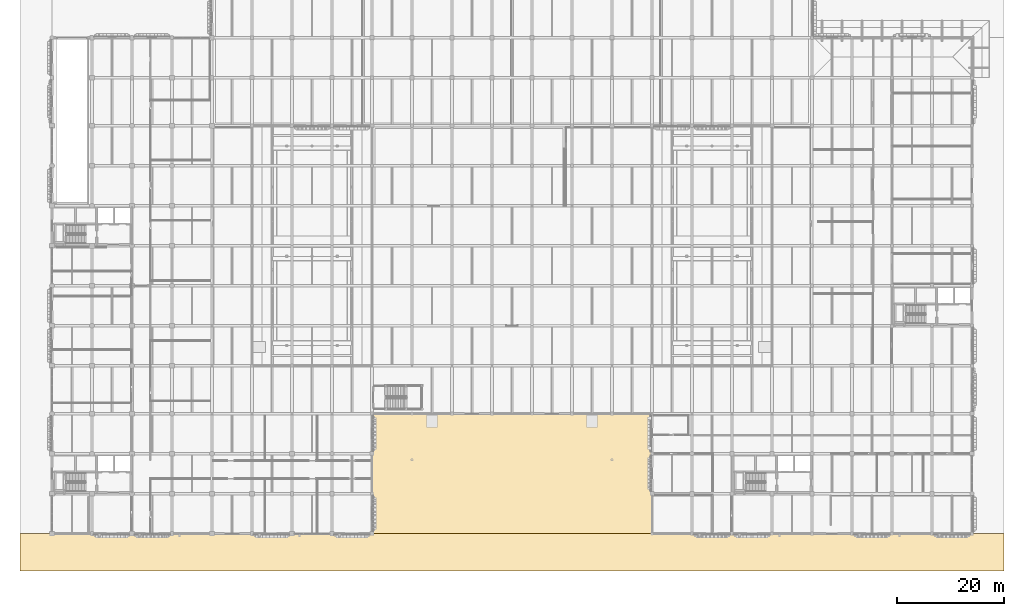
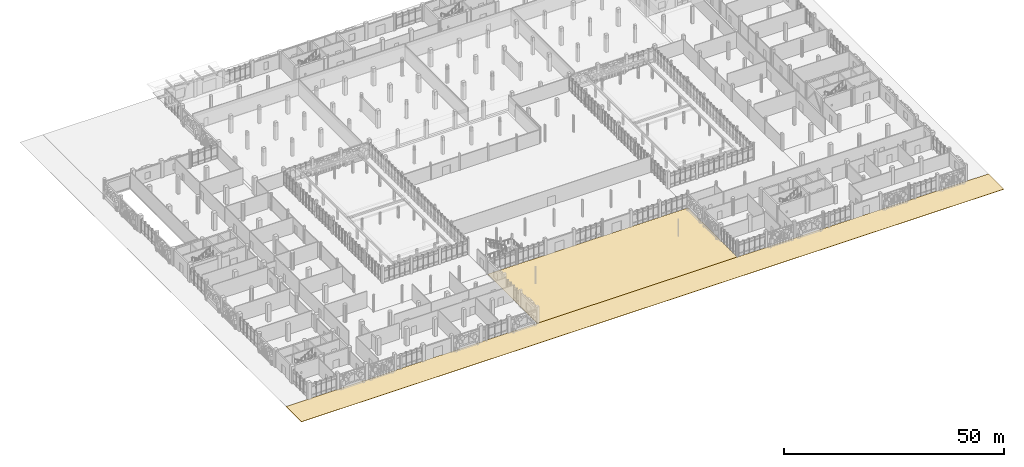
# One storey, part 105 of 125: 2 coverings.
"""IFC4 building model written with IfcOpenShell, lengths in metres."""

from ifc_helpers import new_model, si_unit, direction, frame, origin, place, context, subcontext, project, spatial, polyline, outline, extrude, material, layer, layer_set, type_object, element, save


model = new_model("IFC4")

# Units and contexts
model_context = context("Model", 3, precision=1e-05, world=origin(), true_north=direction((0.0, 1.0)))
body_context = subcontext(model_context, "Body", "Model", "MODEL_VIEW")
ifc_project = project(units=[si_unit("LENGTHUNIT", "METRE"), si_unit("AREAUNIT", "SQUARE_METRE"), si_unit("VOLUMEUNIT", "CUBIC_METRE"), si_unit("PLANEANGLEUNIT", "RADIAN"), si_unit("MASSUNIT", "GRAM", prefix="KILO")], contexts=[model_context])

# Site, building, storey
site_placement = place(None, origin())
site = spatial("IfcSite", under=ifc_project, at=site_placement, CompositionType="ELEMENT")
building_placement = place(site_placement, origin())
building = spatial("IfcBuilding", under=site, at=building_placement, Name="Dalvernix Boulevard General Hospital", CompositionType="ELEMENT")
storey_placement = place(building_placement, origin())
storey = spatial("IfcBuildingStorey", under=building, at=storey_placement, Name="L00", CompositionType="ELEMENT", Elevation=0.0)

# Coverings
ifc_material = material(Name="Permeable granite and clay boulevard paving", Category="masonry")
ifc_layer = layer(ifc_material, 0.080078125)
ifc_layer_set = layer_set([ifc_layer], Name="Permeable granite and clay boulevard paving (COV-PAV-01)")
covering_type = type_object("IfcCoveringType", Name="COV-PAV-01", PredefinedType="USERDEFINED", material=ifc_layer_set)
covering_1_placement = place(storey_placement, frame((0.0, 0.0, -0.080078125)))
element("IfcCovering", 1, at=covering_1_placement, inside=storey, type_object=covering_type, Name="Exterior grade paving SOUTH-BLVD", ObjectType="PAVING", PredefinedType="USERDEFINED", context=body_context, shape_type="SweptSolid", body=[
    extrude(outline(polyline([(-6.0, -7.0), (178.5, -7.0), (178.5, 0.0), (-6.0, 0.0), (-6.0, -7.0)])), origin(), (0.0, 0.0, 1.0), 0.080078125),
])
covering_2_placement = place(storey_placement, frame((0.0, 0.0, -0.080078125)))
element("IfcCovering", 2, at=covering_2_placement, inside=storey, type_object=covering_type, Name="Exterior grade paving FORECOURT", ObjectType="PAVING", PredefinedType="USERDEFINED", context=body_context, shape_type="SweptSolid", body=[
    extrude(outline(polyline([(60.0, 0.0), (112.5, 0.0), (112.5, 22.5), (60.0, 22.5), (60.0, 0.0)])), origin(), (0.0, 0.0, 1.0), 0.080078125),
])

save(model, "model.ifc")
